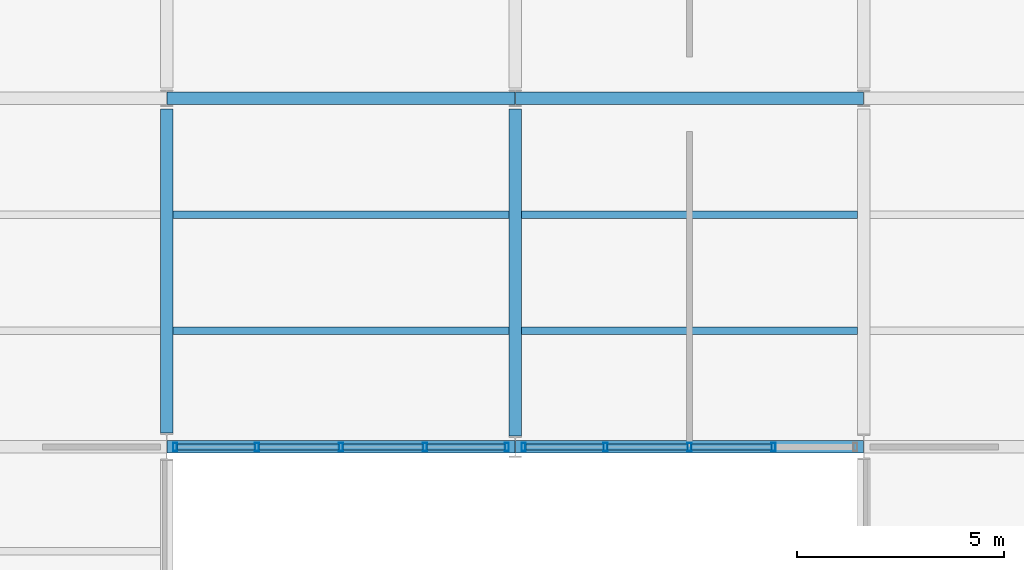
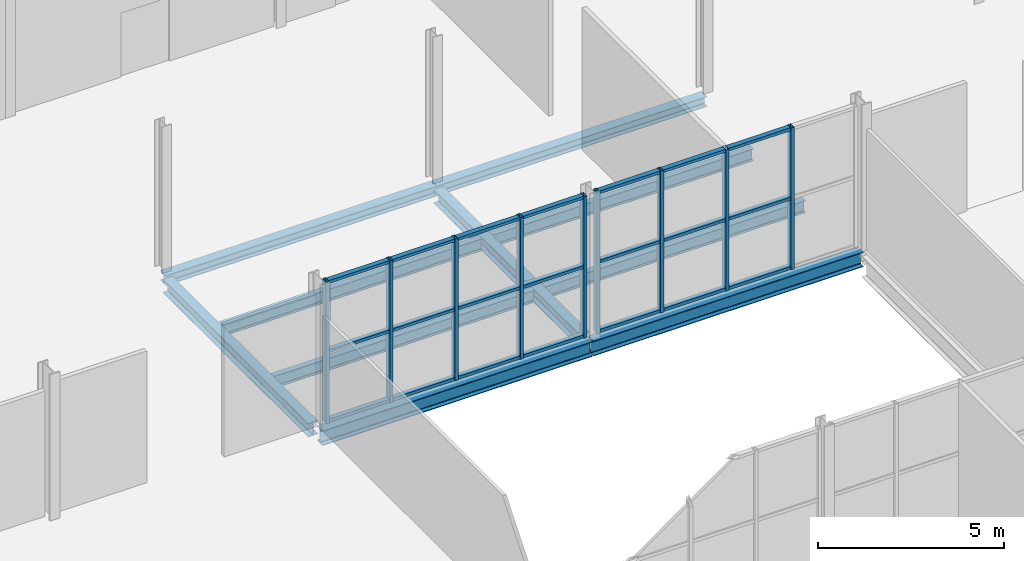
# One storey, part 14 of 52: 30 members, 10 beams, 2 elements without a shape of their own.
"""IFC4 building model written with IfcOpenShell, lengths in metres."""

from ifc_helpers import new_model, si_unit, direction, frame, origin, origin_2d, place, context, subcontext, project, spatial, hollow_rectangle, i_section, extrude, material, layer, layer_set, material_profile, profile_set, type_object, element, aggregate, save


model = new_model("IFC4")

# Units and contexts
model_context = context("Model", 3, precision=1e-05, world=origin(), true_north=direction((0.0, 1.0)))
body_context = subcontext(model_context, "Body", "Model", "MODEL_VIEW")
ifc_project = project(units=[si_unit("LENGTHUNIT", "METRE"), si_unit("AREAUNIT", "SQUARE_METRE"), si_unit("VOLUMEUNIT", "CUBIC_METRE"), si_unit("PLANEANGLEUNIT", "RADIAN"), si_unit("MASSUNIT", "GRAM", prefix="KILO")], contexts=[model_context])

# Site, building, storey
site_placement = place(None, origin())
site = spatial("IfcSite", under=ifc_project, at=site_placement, CompositionType="ELEMENT")
building_placement = place(site_placement, origin())
building = spatial("IfcBuilding", under=site, at=building_placement, Name="Galleria Vessillo Department Store", CompositionType="ELEMENT")
storey_placement = place(building_placement, frame((0.0, 0.0, 16.199951171875)))
storey = spatial("IfcBuildingStorey", under=building, at=storey_placement, Name="L03", CompositionType="ELEMENT", Elevation=16.199951171875)

# Beams
ifc_material_1 = material(Name="Steel S355 J2", Category="steel")
ifc_material_profile_1 = material_profile(ifc_material_1, i_section(OverallWidth=0.300048828125, OverallDepth=0.43994140625, WebThickness=0.011474609375, FlangeThickness=0.02099609375, FilletRadius=0.027099609375, at=origin_2d()), Name="HEA 450")
ifc_profile_set_1 = profile_set([ifc_material_profile_1], Name="Steel S355 J2")
beam_type_1 = type_object("IfcBeamType", Name="Floor girder HEA 450", PredefinedType="BEAM", material=ifc_profile_set_1)
beam_1_placement = place(storey_placement, frame((16.800048828125, 38.134033203125, -0.369873046875), z_axis=(0.0, 1.0, 0.0), x_axis=(-1.0, 0.0, 0.0)))
element("IfcBeam", 1, at=beam_1_placement, inside=storey, type_object=beam_type_1, Name="S-BM-L03-GI-y16800-38134", PredefinedType="BEAM", context=body_context, shape_type="SweptSolid", body=[
    extrude(i_section(OverallWidth=0.300048828125, OverallDepth=0.43994140625, WebThickness=0.011474609375, FlangeThickness=0.02099609375, FilletRadius=0.027099609375, at=origin_2d()), origin(), (0.0, 0.0, 1.0), 7.81591796875),
])
beam_2_placement = place(storey_placement, frame((25.199951171875, 38.06201171875, -0.369873046875), z_axis=(0.0, 1.0, 0.0), x_axis=(-1.0, 0.0, 0.0)))
element("IfcBeam", 2, at=beam_2_placement, inside=storey, type_object=beam_type_1, Name="S-BM-L03-GI-y25200-38062", PredefinedType="BEAM", context=body_context, shape_type="SweptSolid", body=[
    extrude(i_section(OverallWidth=0.300048828125, OverallDepth=0.43994140625, WebThickness=0.011474609375, FlangeThickness=0.02099609375, FilletRadius=0.027099609375, at=origin_2d()), origin(), (0.0, 0.0, 1.0), 7.887939453125),
])
ifc_material_2 = material(Name="Steel S355 J2", Category="steel")
ifc_material_profile_2 = material_profile(ifc_material_2, i_section(OverallWidth=0.179931640625, OverallDepth=0.39990234375, WebThickness=0.008544921875, FlangeThickness=0.013427734375, FilletRadius=0.02099609375, at=origin_2d()), Name="IPE 400")
ifc_profile_set_2 = profile_set([ifc_material_profile_2], Name="Steel S355 J2")
beam_type_2 = type_object("IfcBeamType", Name="Floor joist IPE 400", PredefinedType="JOIST", material=ifc_profile_set_2)
for number, where, z_axis, x_axis, name in (
    (3, (16.9501953125, 40.60009765625, -0.349853515625), (1.0, 0.0, 0.0), (0.0, 1.0, 0.0), "S-BM-L03-JO-x40600-16950"),
    (4, (16.9501953125, 43.39990234375, -0.349853515625), (1.0, 0.0, 0.0), (0.0, 1.0, 0.0), "S-BM-L03-JO-x43400-16950"),
):
    element("IfcBeam", number, at=place(storey_placement, frame(where, z_axis=z_axis, x_axis=x_axis)), inside=storey, type_object=beam_type_2, Name=name, PredefinedType="JOIST", context=body_context, shape_type="SweptSolid", body=[
        extrude(i_section(OverallWidth=0.179931640625, OverallDepth=0.39990234375, WebThickness=0.008544921875, FlangeThickness=0.013427734375, FilletRadius=0.02099609375, at=origin_2d()), origin(), (0.0, 0.0, 1.0), 8.099609375),
    ])
for number, where, z_axis, x_axis, name in (
    (5, (25.35009765625, 40.60009765625, -0.349853515625), (1.0, 0.0, 0.0), (0.0, 1.0, 0.0), "S-BM-L03-JO-x40600-25350"),
    (6, (25.35009765625, 43.39990234375, -0.349853515625), (1.0, 0.0, 0.0), (0.0, 1.0, 0.0), "S-BM-L03-JO-x43400-25350"),
):
    element("IfcBeam", number, at=place(storey_placement, frame(where, z_axis=z_axis, x_axis=x_axis)), inside=storey, type_object=beam_type_2, Name=name, PredefinedType="JOIST", context=body_context, shape_type="SweptSolid", body=[
        extrude(i_section(OverallWidth=0.179931640625, OverallDepth=0.39990234375, WebThickness=0.008544921875, FlangeThickness=0.013427734375, FilletRadius=0.02099609375, at=origin_2d()), origin(), (0.0, 0.0, 1.0), 8.099853515625),
    ])
ifc_material_3 = material(Name="Steel S355 J2", Category="steel")
ifc_material_profile_3 = material_profile(ifc_material_3, i_section(OverallWidth=0.300048828125, OverallDepth=0.330078125, WebThickness=0.009521484375, FlangeThickness=0.0166015625, FilletRadius=0.027099609375, at=origin_2d()), Name="HEA 340")
ifc_profile_set_3 = profile_set([ifc_material_profile_3], Name="Steel S355 J2")
beam_type_3 = type_object("IfcBeamType", Name="Floor tie girder HEA 340", PredefinedType="BEAM", material=ifc_profile_set_3)
for number, where, z_axis, x_axis, name in (
    (7, (16.807373046875, 46.199951171875, -0.31494140625), (1.0, 0.0, 0.0), (0.0, 1.0, 0.0), "S-BM-L03-TI-x46200-16807"),
    (8, (25.207275390625, 46.199951171875, -0.31494140625), (1.0, 0.0, 0.0), (0.0, 1.0, 0.0), "S-BM-L03-TI-x46200-25207"),
):
    element("IfcBeam", number, at=place(storey_placement, frame(where, z_axis=z_axis, x_axis=x_axis)), inside=storey, type_object=beam_type_3, Name=name, PredefinedType="BEAM", context=body_context, shape_type="SweptSolid", body=[
        extrude(i_section(OverallWidth=0.300048828125, OverallDepth=0.330078125, WebThickness=0.009521484375, FlangeThickness=0.0166015625, FilletRadius=0.027099609375, at=origin_2d()), origin(), (0.0, 0.0, 1.0), 8.38525390625),
    ])

# Curtain wall, members
ifc_material_4 = material(Name="Steel and fire-resisting glass curtain wall", Category="steel")
ifc_layer = layer(ifc_material_4, 0.199951171875)
ifc_layer_set = layer_set([ifc_layer], Name="Steel and fire-resisting glass curtain wall")
curtain_wall_type = type_object("IfcCurtainWallType", Name="Arcade fire-resisting glazed shopfront EI 120-Sa", PredefinedType="NOTDEFINED", material=ifc_layer_set)
curtain_wall_1_placement = place(storey_placement, origin())
curtain_wall_1 = element("IfcCurtainWall", 9, at=curtain_wall_1_placement, inside=storey, type_object=curtain_wall_type, Name="Arcade fire-resisting glazed shopfront EI 120-Sa AI-AW-N-L03-01", PredefinedType="NOTDEFINED")
ifc_material_5 = material(Name="Steel S355 J2", Category="steel")
ifc_material_profile_4 = material_profile(ifc_material_5, hollow_rectangle(XDim=0.199951171875, YDim=0.10009765625, WallThickness=0.008056640625, at=origin_2d()), Name="RHS 200x100x8")
ifc_profile_set_4 = profile_set([ifc_material_profile_4], Name="Steel S355 J2")
member_type_1 = type_object("IfcMemberType", Name="Steel mullion RHS 200x100x8", PredefinedType="MULLION", material=ifc_profile_set_4)
member_1_placement = place(storey_placement, frame((17.002685546875, 37.800048828125, 0.0), z_axis=(0.0, 0.0, 1.0), x_axis=(0.0, 1.0, 0.0)))
member_1 = element("IfcMember", 10, at=member_1_placement, type_object=member_type_1, Name="CW7 mullion 1", PredefinedType="MULLION", context=body_context, shape_type="SweptSolid", body=[
    extrude(hollow_rectangle(XDim=0.199951171875, YDim=0.10009765625, WallThickness=0.008056640625, at=origin_2d()), origin(), (0.0, 0.0, 1.0), 4.650146484375),
])
member_2_placement = place(storey_placement, frame((18.97607421875, 37.800048828125, 0.0), z_axis=(0.0, 0.0, 1.0), x_axis=(0.0, 1.0, 0.0)))
member_2 = element("IfcMember", 11, at=member_2_placement, type_object=member_type_1, Name="CW7 mullion 2", PredefinedType="MULLION", context=body_context, shape_type="SweptSolid", body=[
    extrude(hollow_rectangle(XDim=0.199951171875, YDim=0.10009765625, WallThickness=0.008056640625, at=origin_2d()), origin(), (0.0, 0.0, 1.0), 4.650146484375),
])
member_3_placement = place(storey_placement, frame((20.999755859375, 37.800048828125, 0.0), z_axis=(0.0, 0.0, 1.0), x_axis=(0.0, 1.0, 0.0)))
member_3 = element("IfcMember", 12, at=member_3_placement, type_object=member_type_1, Name="CW7 mullion 3", PredefinedType="MULLION", context=body_context, shape_type="SweptSolid", body=[
    extrude(hollow_rectangle(XDim=0.199951171875, YDim=0.10009765625, WallThickness=0.008056640625, at=origin_2d()), origin(), (0.0, 0.0, 1.0), 4.650146484375),
])
member_4_placement = place(storey_placement, frame((23.0234375, 37.800048828125, 0.0), z_axis=(0.0, 0.0, 1.0), x_axis=(0.0, 1.0, 0.0)))
member_4 = element("IfcMember", 13, at=member_4_placement, type_object=member_type_1, Name="CW7 mullion 4", PredefinedType="MULLION", context=body_context, shape_type="SweptSolid", body=[
    extrude(hollow_rectangle(XDim=0.199951171875, YDim=0.10009765625, WallThickness=0.008056640625, at=origin_2d()), origin(), (0.0, 0.0, 1.0), 4.650146484375),
])
member_5_placement = place(storey_placement, frame((24.996826171875, 37.800048828125, 0.0), z_axis=(0.0, 0.0, 1.0), x_axis=(0.0, 1.0, 0.0)))
member_5 = element("IfcMember", 14, at=member_5_placement, type_object=member_type_1, Name="CW7 mullion 5", PredefinedType="MULLION", context=body_context, shape_type="SweptSolid", body=[
    extrude(hollow_rectangle(XDim=0.199951171875, YDim=0.10009765625, WallThickness=0.008056640625, at=origin_2d()), origin(), (0.0, 0.0, 1.0), 4.650146484375),
])

curtain_wall_2_placement = place(storey_placement, origin())
curtain_wall_2 = element("IfcCurtainWall", 15, at=curtain_wall_2_placement, inside=storey, type_object=curtain_wall_type, Name="Arcade fire-resisting glazed shopfront EI 120-Sa AI-AW-N-L03-02", PredefinedType="NOTDEFINED")
member_6_placement = place(storey_placement, frame((25.403076171875, 37.800048828125, 0.0), z_axis=(0.0, 0.0, 1.0), x_axis=(0.0, 1.0, 0.0)))
member_6 = element("IfcMember", 16, at=member_6_placement, type_object=member_type_1, Name="CW7 mullion 1", PredefinedType="MULLION", context=body_context, shape_type="SweptSolid", body=[
    extrude(hollow_rectangle(XDim=0.199951171875, YDim=0.10009765625, WallThickness=0.008056640625, at=origin_2d()), origin(), (0.0, 0.0, 1.0), 4.650146484375),
])
member_7_placement = place(storey_placement, frame((27.376708984375, 37.800048828125, 0.0), z_axis=(0.0, 0.0, 1.0), x_axis=(0.0, 1.0, 0.0)))
member_7 = element("IfcMember", 17, at=member_7_placement, type_object=member_type_1, Name="CW7 mullion 2", PredefinedType="MULLION", context=body_context, shape_type="SweptSolid", body=[
    extrude(hollow_rectangle(XDim=0.199951171875, YDim=0.10009765625, WallThickness=0.008056640625, at=origin_2d()), origin(), (0.0, 0.0, 1.0), 4.650146484375),
])
member_8_placement = place(storey_placement, frame((29.400390625, 37.800048828125, 0.0), z_axis=(0.0, 0.0, 1.0), x_axis=(0.0, 1.0, 0.0)))
member_8 = element("IfcMember", 18, at=member_8_placement, type_object=member_type_1, Name="CW7 mullion 3", PredefinedType="MULLION", context=body_context, shape_type="SweptSolid", body=[
    extrude(hollow_rectangle(XDim=0.199951171875, YDim=0.10009765625, WallThickness=0.008056640625, at=origin_2d()), origin(), (0.0, 0.0, 1.0), 4.650146484375),
])
member_9_placement = place(storey_placement, frame((31.423828125, 37.800048828125, 0.0), z_axis=(0.0, 0.0, 1.0), x_axis=(0.0, 1.0, 0.0)))
member_9 = element("IfcMember", 19, at=member_9_placement, type_object=member_type_1, Name="CW7 mullion 4", PredefinedType="MULLION", context=body_context, shape_type="SweptSolid", body=[
    extrude(hollow_rectangle(XDim=0.199951171875, YDim=0.10009765625, WallThickness=0.008056640625, at=origin_2d()), origin(), (0.0, 0.0, 1.0), 4.650146484375),
])

# Member
ifc_material_6 = material(Name="Steel S355 J2", Category="steel")
ifc_material_profile_5 = material_profile(ifc_material_6, hollow_rectangle(XDim=0.14990234375, YDim=0.10009765625, WallThickness=0.008056640625, at=origin_2d()), Name="RHS 150x100x8")
ifc_profile_set_5 = profile_set([ifc_material_profile_5], Name="Steel S355 J2")
member_type_2 = type_object("IfcMemberType", Name="Steel transom RHS 150x100x8", PredefinedType="USERDEFINED", material=ifc_profile_set_5)
member_10_placement = place(storey_placement, frame((17.052734375, 37.800048828125, 0.050048828125), z_axis=(1.0, 0.0, 0.0), x_axis=(0.0, 1.0, 0.0)))
member_10 = element("IfcMember", 20, at=member_10_placement, type_object=member_type_2, Name="CW7 transom 1.1", ObjectType="TRANSOM", PredefinedType="USERDEFINED", context=body_context, shape_type="SweptSolid", body=[
    extrude(hollow_rectangle(XDim=0.14990234375, YDim=0.10009765625, WallThickness=0.008056640625, at=origin_2d()), origin(), (0.0, 0.0, 1.0), 1.87353515625),
])

member_11_placement = place(storey_placement, frame((17.052734375, 37.800048828125, 2.324951171875), z_axis=(1.0, 0.0, 0.0), x_axis=(0.0, 1.0, 0.0)))
member_11 = element("IfcMember", 21, at=member_11_placement, type_object=member_type_2, Name="CW7 transom 1.2", ObjectType="TRANSOM", PredefinedType="USERDEFINED", context=body_context, shape_type="SweptSolid", body=[
    extrude(hollow_rectangle(XDim=0.14990234375, YDim=0.10009765625, WallThickness=0.008056640625, at=origin_2d()), origin(), (0.0, 0.0, 1.0), 1.87353515625),
])

member_12_placement = place(storey_placement, frame((17.052734375, 37.800048828125, 4.60009765625), z_axis=(1.0, 0.0, 0.0), x_axis=(0.0, 1.0, 0.0)))
member_12 = element("IfcMember", 22, at=member_12_placement, type_object=member_type_2, Name="CW7 transom 1.3", ObjectType="TRANSOM", PredefinedType="USERDEFINED", context=body_context, shape_type="SweptSolid", body=[
    extrude(hollow_rectangle(XDim=0.14990234375, YDim=0.10009765625, WallThickness=0.008056640625, at=origin_2d()), origin(), (0.0, 0.0, 1.0), 1.87353515625),
])

member_13_placement = place(storey_placement, frame((19.026123046875, 37.800048828125, 0.050048828125), z_axis=(1.0, 0.0, 0.0), x_axis=(0.0, 1.0, 0.0)))
member_13 = element("IfcMember", 23, at=member_13_placement, type_object=member_type_2, Name="CW7 transom 2.1", ObjectType="TRANSOM", PredefinedType="USERDEFINED", context=body_context, shape_type="SweptSolid", body=[
    extrude(hollow_rectangle(XDim=0.14990234375, YDim=0.10009765625, WallThickness=0.008056640625, at=origin_2d()), origin(), (0.0, 0.0, 1.0), 1.923583984375),
])

member_14_placement = place(storey_placement, frame((19.026123046875, 37.800048828125, 2.324951171875), z_axis=(1.0, 0.0, 0.0), x_axis=(0.0, 1.0, 0.0)))
member_14 = element("IfcMember", 24, at=member_14_placement, type_object=member_type_2, Name="CW7 transom 2.2", ObjectType="TRANSOM", PredefinedType="USERDEFINED", context=body_context, shape_type="SweptSolid", body=[
    extrude(hollow_rectangle(XDim=0.14990234375, YDim=0.10009765625, WallThickness=0.008056640625, at=origin_2d()), origin(), (0.0, 0.0, 1.0), 1.923583984375),
])

member_15_placement = place(storey_placement, frame((19.026123046875, 37.800048828125, 4.60009765625), z_axis=(1.0, 0.0, 0.0), x_axis=(0.0, 1.0, 0.0)))
member_15 = element("IfcMember", 25, at=member_15_placement, type_object=member_type_2, Name="CW7 transom 2.3", ObjectType="TRANSOM", PredefinedType="USERDEFINED", context=body_context, shape_type="SweptSolid", body=[
    extrude(hollow_rectangle(XDim=0.14990234375, YDim=0.10009765625, WallThickness=0.008056640625, at=origin_2d()), origin(), (0.0, 0.0, 1.0), 1.923583984375),
])

member_16_placement = place(storey_placement, frame((21.0498046875, 37.800048828125, 0.050048828125), z_axis=(1.0, 0.0, 0.0), x_axis=(0.0, 1.0, 0.0)))
member_16 = element("IfcMember", 26, at=member_16_placement, type_object=member_type_2, Name="CW7 transom 3.1", ObjectType="TRANSOM", PredefinedType="USERDEFINED", context=body_context, shape_type="SweptSolid", body=[
    extrude(hollow_rectangle(XDim=0.14990234375, YDim=0.10009765625, WallThickness=0.008056640625, at=origin_2d()), origin(), (0.0, 0.0, 1.0), 1.923583984375),
])

member_17_placement = place(storey_placement, frame((21.0498046875, 37.800048828125, 2.324951171875), z_axis=(1.0, 0.0, 0.0), x_axis=(0.0, 1.0, 0.0)))
member_17 = element("IfcMember", 27, at=member_17_placement, type_object=member_type_2, Name="CW7 transom 3.2", ObjectType="TRANSOM", PredefinedType="USERDEFINED", context=body_context, shape_type="SweptSolid", body=[
    extrude(hollow_rectangle(XDim=0.14990234375, YDim=0.10009765625, WallThickness=0.008056640625, at=origin_2d()), origin(), (0.0, 0.0, 1.0), 1.923583984375),
])

member_18_placement = place(storey_placement, frame((21.0498046875, 37.800048828125, 4.60009765625), z_axis=(1.0, 0.0, 0.0), x_axis=(0.0, 1.0, 0.0)))
member_18 = element("IfcMember", 28, at=member_18_placement, type_object=member_type_2, Name="CW7 transom 3.3", ObjectType="TRANSOM", PredefinedType="USERDEFINED", context=body_context, shape_type="SweptSolid", body=[
    extrude(hollow_rectangle(XDim=0.14990234375, YDim=0.10009765625, WallThickness=0.008056640625, at=origin_2d()), origin(), (0.0, 0.0, 1.0), 1.923583984375),
])

member_19_placement = place(storey_placement, frame((23.0732421875, 37.800048828125, 0.050048828125), z_axis=(1.0, 0.0, 0.0), x_axis=(0.0, 1.0, 0.0)))
member_19 = element("IfcMember", 29, at=member_19_placement, type_object=member_type_2, Name="CW7 transom 4.1", ObjectType="TRANSOM", PredefinedType="USERDEFINED", context=body_context, shape_type="SweptSolid", body=[
    extrude(hollow_rectangle(XDim=0.14990234375, YDim=0.10009765625, WallThickness=0.008056640625, at=origin_2d()), origin(), (0.0, 0.0, 1.0), 1.87353515625),
])

member_20_placement = place(storey_placement, frame((23.0732421875, 37.800048828125, 2.324951171875), z_axis=(1.0, 0.0, 0.0), x_axis=(0.0, 1.0, 0.0)))
member_20 = element("IfcMember", 30, at=member_20_placement, type_object=member_type_2, Name="CW7 transom 4.2", ObjectType="TRANSOM", PredefinedType="USERDEFINED", context=body_context, shape_type="SweptSolid", body=[
    extrude(hollow_rectangle(XDim=0.14990234375, YDim=0.10009765625, WallThickness=0.008056640625, at=origin_2d()), origin(), (0.0, 0.0, 1.0), 1.87353515625),
])

member_21_placement = place(storey_placement, frame((23.0732421875, 37.800048828125, 4.60009765625), z_axis=(1.0, 0.0, 0.0), x_axis=(0.0, 1.0, 0.0)))
member_21 = element("IfcMember", 31, at=member_21_placement, type_object=member_type_2, Name="CW7 transom 4.3", ObjectType="TRANSOM", PredefinedType="USERDEFINED", context=body_context, shape_type="SweptSolid", body=[
    extrude(hollow_rectangle(XDim=0.14990234375, YDim=0.10009765625, WallThickness=0.008056640625, at=origin_2d()), origin(), (0.0, 0.0, 1.0), 1.87353515625),
])

aggregate(curtain_wall_1, [member_1, member_2, member_3, member_4, member_5, member_10, member_11, member_12, member_13, member_14, member_15, member_16, member_17, member_18, member_19, member_20, member_21])

member_22_placement = place(storey_placement, frame((25.453125, 37.800048828125, 0.050048828125), z_axis=(1.0, 0.0, 0.0), x_axis=(0.0, 1.0, 0.0)))
member_22 = element("IfcMember", 32, at=member_22_placement, type_object=member_type_2, Name="CW7 transom 1.1", ObjectType="TRANSOM", PredefinedType="USERDEFINED", context=body_context, shape_type="SweptSolid", body=[
    extrude(hollow_rectangle(XDim=0.14990234375, YDim=0.10009765625, WallThickness=0.008056640625, at=origin_2d()), origin(), (0.0, 0.0, 1.0), 1.87353515625),
])

member_23_placement = place(storey_placement, frame((25.453125, 37.800048828125, 2.324951171875), z_axis=(1.0, 0.0, 0.0), x_axis=(0.0, 1.0, 0.0)))
member_23 = element("IfcMember", 33, at=member_23_placement, type_object=member_type_2, Name="CW7 transom 1.2", ObjectType="TRANSOM", PredefinedType="USERDEFINED", context=body_context, shape_type="SweptSolid", body=[
    extrude(hollow_rectangle(XDim=0.14990234375, YDim=0.10009765625, WallThickness=0.008056640625, at=origin_2d()), origin(), (0.0, 0.0, 1.0), 1.87353515625),
])

member_24_placement = place(storey_placement, frame((25.453125, 37.800048828125, 4.60009765625), z_axis=(1.0, 0.0, 0.0), x_axis=(0.0, 1.0, 0.0)))
member_24 = element("IfcMember", 34, at=member_24_placement, type_object=member_type_2, Name="CW7 transom 1.3", ObjectType="TRANSOM", PredefinedType="USERDEFINED", context=body_context, shape_type="SweptSolid", body=[
    extrude(hollow_rectangle(XDim=0.14990234375, YDim=0.10009765625, WallThickness=0.008056640625, at=origin_2d()), origin(), (0.0, 0.0, 1.0), 1.87353515625),
])

member_25_placement = place(storey_placement, frame((27.4267578125, 37.800048828125, 0.050048828125), z_axis=(1.0, 0.0, 0.0), x_axis=(0.0, 1.0, 0.0)))
member_25 = element("IfcMember", 35, at=member_25_placement, type_object=member_type_2, Name="CW7 transom 2.1", ObjectType="TRANSOM", PredefinedType="USERDEFINED", context=body_context, shape_type="SweptSolid", body=[
    extrude(hollow_rectangle(XDim=0.14990234375, YDim=0.10009765625, WallThickness=0.008056640625, at=origin_2d()), origin(), (0.0, 0.0, 1.0), 1.923583984375),
])

member_26_placement = place(storey_placement, frame((27.4267578125, 37.800048828125, 2.324951171875), z_axis=(1.0, 0.0, 0.0), x_axis=(0.0, 1.0, 0.0)))
member_26 = element("IfcMember", 36, at=member_26_placement, type_object=member_type_2, Name="CW7 transom 2.2", ObjectType="TRANSOM", PredefinedType="USERDEFINED", context=body_context, shape_type="SweptSolid", body=[
    extrude(hollow_rectangle(XDim=0.14990234375, YDim=0.10009765625, WallThickness=0.008056640625, at=origin_2d()), origin(), (0.0, 0.0, 1.0), 1.923583984375),
])

member_27_placement = place(storey_placement, frame((27.4267578125, 37.800048828125, 4.60009765625), z_axis=(1.0, 0.0, 0.0), x_axis=(0.0, 1.0, 0.0)))
member_27 = element("IfcMember", 37, at=member_27_placement, type_object=member_type_2, Name="CW7 transom 2.3", ObjectType="TRANSOM", PredefinedType="USERDEFINED", context=body_context, shape_type="SweptSolid", body=[
    extrude(hollow_rectangle(XDim=0.14990234375, YDim=0.10009765625, WallThickness=0.008056640625, at=origin_2d()), origin(), (0.0, 0.0, 1.0), 1.923583984375),
])

member_28_placement = place(storey_placement, frame((29.4501953125, 37.800048828125, 0.050048828125), z_axis=(1.0, 0.0, 0.0), x_axis=(0.0, 1.0, 0.0)))
member_28 = element("IfcMember", 38, at=member_28_placement, type_object=member_type_2, Name="CW7 transom 3.1", ObjectType="TRANSOM", PredefinedType="USERDEFINED", context=body_context, shape_type="SweptSolid", body=[
    extrude(hollow_rectangle(XDim=0.14990234375, YDim=0.10009765625, WallThickness=0.008056640625, at=origin_2d()), origin(), (0.0, 0.0, 1.0), 1.923583984375),
])

member_29_placement = place(storey_placement, frame((29.4501953125, 37.800048828125, 2.324951171875), z_axis=(1.0, 0.0, 0.0), x_axis=(0.0, 1.0, 0.0)))
member_29 = element("IfcMember", 39, at=member_29_placement, type_object=member_type_2, Name="CW7 transom 3.2", ObjectType="TRANSOM", PredefinedType="USERDEFINED", context=body_context, shape_type="SweptSolid", body=[
    extrude(hollow_rectangle(XDim=0.14990234375, YDim=0.10009765625, WallThickness=0.008056640625, at=origin_2d()), origin(), (0.0, 0.0, 1.0), 1.923583984375),
])

member_30_placement = place(storey_placement, frame((29.4501953125, 37.800048828125, 4.60009765625), z_axis=(1.0, 0.0, 0.0), x_axis=(0.0, 1.0, 0.0)))
member_30 = element("IfcMember", 40, at=member_30_placement, type_object=member_type_2, Name="CW7 transom 3.3", ObjectType="TRANSOM", PredefinedType="USERDEFINED", context=body_context, shape_type="SweptSolid", body=[
    extrude(hollow_rectangle(XDim=0.14990234375, YDim=0.10009765625, WallThickness=0.008056640625, at=origin_2d()), origin(), (0.0, 0.0, 1.0), 1.923583984375),
])

aggregate(curtain_wall_2, [member_6, member_7, member_8, member_9, member_22, member_23, member_24, member_25, member_26, member_27, member_28, member_29, member_30])

# Beams
ifc_material_7 = material(Name="Steel S355 J2", Category="steel")
ifc_material_profile_6 = material_profile(ifc_material_7, i_section(OverallWidth=0.300048828125, OverallDepth=0.489990234375, WebThickness=0.011962890625, FlangeThickness=0.02294921875, FilletRadius=0.027099609375, at=origin_2d()), Name="HEA 500")
ifc_profile_set_6 = profile_set([ifc_material_profile_6], Name="Steel S355 J2")
beam_type_4 = type_object("IfcBeamType", Name="Trimmer beam HEA 500", PredefinedType="BEAM", material=ifc_profile_set_6)
beam_3_placement = place(storey_placement, frame((16.810546875, 37.800048828125, -0.39501953125), z_axis=(1.0, 0.0, 0.0), x_axis=(0.0, 1.0, 0.0)))
element("IfcBeam", 41, at=beam_3_placement, inside=storey, type_object=beam_type_4, Name="S-BM-L03-TR-x37800-16811", PredefinedType="BEAM", context=body_context, shape_type="SweptSolid", body=[
    extrude(i_section(OverallWidth=0.300048828125, OverallDepth=0.489990234375, WebThickness=0.011962890625, FlangeThickness=0.02294921875, FilletRadius=0.027099609375, at=origin_2d()), origin(), (0.0, 0.0, 1.0), 8.37890625),
])
beam_4_placement = place(storey_placement, frame((25.210693359375, 37.800048828125, -0.39501953125), z_axis=(1.0, 0.0, 0.0), x_axis=(0.0, 1.0, 0.0)))
element("IfcBeam", 42, at=beam_4_placement, inside=storey, type_object=beam_type_4, Name="S-BM-L03-TR-x37800-25211", PredefinedType="BEAM", context=body_context, shape_type="SweptSolid", body=[
    extrude(i_section(OverallWidth=0.300048828125, OverallDepth=0.489990234375, WebThickness=0.011962890625, FlangeThickness=0.02294921875, FilletRadius=0.027099609375, at=origin_2d()), origin(), (0.0, 0.0, 1.0), 8.378662109375),
])

save(model, "model.ifc")
